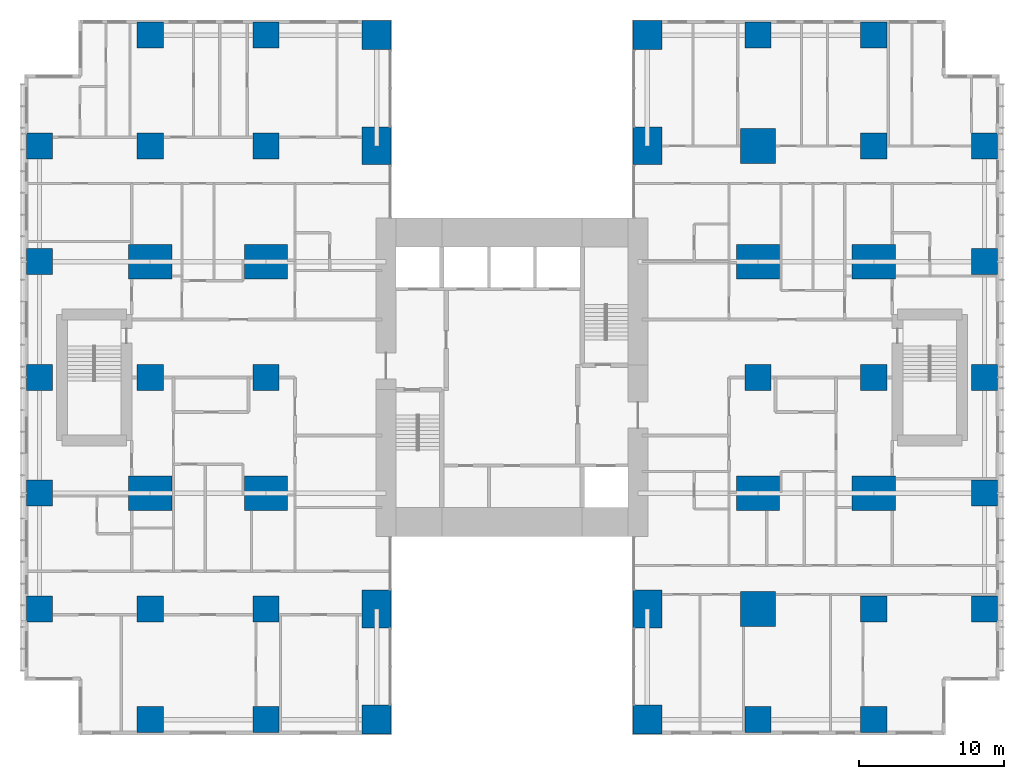
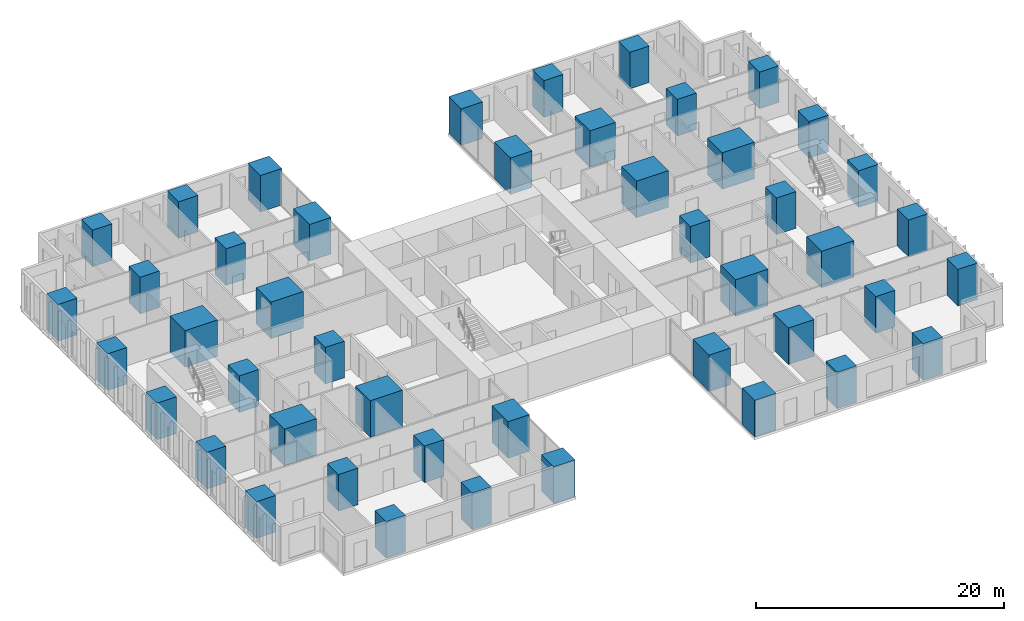
# One storey, part 1 of 20: 46 columns.
"""IFC4 building model written with IfcOpenShell, lengths in metres."""

from ifc_helpers import new_model, si_unit, direction, frame, origin, origin_2d, place, context, subcontext, project, spatial, rectangle, extrude, material, material_profile, profile_set, type_object, element, save


model = new_model("IFC4")

# Units and contexts
model_context = context("Model", 3, precision=1e-05, world=origin(), true_north=direction((0.0, 1.0)))
body_context = subcontext(model_context, "Body", "Model", "MODEL_VIEW")
ifc_project = project(units=[si_unit("LENGTHUNIT", "METRE"), si_unit("AREAUNIT", "SQUARE_METRE"), si_unit("VOLUMEUNIT", "CUBIC_METRE"), si_unit("PLANEANGLEUNIT", "RADIAN"), si_unit("MASSUNIT", "GRAM", prefix="KILO")], contexts=[model_context])

# Site, building, storey
site_placement = place(None, origin())
site = spatial("IfcSite", under=ifc_project, at=site_placement, CompositionType="ELEMENT")
building_placement = place(site_placement, origin())
building = spatial("IfcBuilding", under=site, at=building_placement, Name="Cleftline Residences", CompositionType="ELEMENT")
storey_placement = place(building_placement, frame((0.0, 0.0, 214.60009765625)))
storey = spatial("IfcBuildingStorey", under=building, at=storey_placement, Name="L56", CompositionType="ELEMENT", Elevation=214.60009765625)

# Columns
ifc_material_1 = material(Name="Concrete B70", Category="concrete")
ifc_material_profile_1 = material_profile(ifc_material_1, rectangle(XDim=1.800048828125, YDim=1.800048828125, at=origin_2d()))
ifc_profile_set_1 = profile_set([ifc_material_profile_1], Name="Concrete B70")
column_type_1 = type_object("IfcColumnType", Name="COLUMN RC1800X1800", PredefinedType="COLUMN", material=ifc_profile_set_1)
for number, where, z_axis, x_axis, name in (
    (1, (0.35009765625, 8.0, 0.0), (0.0, 0.0, 1.0), (1.0, 0.0, 0.0), "Column D/3"),
    (2, (0.35009765625, 16.0, 0.0), (0.0, 0.0, 1.0), (1.0, 0.0, 0.0), "Column E/3"),
    (3, (0.35009765625, 24.0, 0.0), (0.0, 0.0, 1.0), (1.0, 0.0, 0.0), "Column F/3"),
    (4, (0.35009765625, 32.0, 0.0), (0.0, 0.0, 1.0), (1.0, 0.0, 0.0), "Column G/3"),
    (5, (0.35009765625, 40.0, 0.0), (0.0, 0.0, 1.0), (1.0, 0.0, 0.0), "Column H/3"),
    (6, (8.0, 0.35009765625, 0.0), (0.0, 0.0, 1.0), (1.0, 0.0, 0.0), "Column C/4"),
    (7, (8.0, 8.0, 0.0), (0.0, 0.0, 1.0), (1.0, 0.0, 0.0), "Column D/4"),
    (8, (8.0, 24.0, 0.0), (0.0, 0.0, 1.0), (1.0, 0.0, 0.0), "Column F/4"),
    (9, (8.0, 40.0, 0.0), (0.0, 0.0, 1.0), (1.0, 0.0, 0.0), "Column H/4"),
    (10, (8.0, 47.64990234375, 0.0), (0.0, 0.0, 1.0), (1.0, 0.0, 0.0), "Column J/4"),
    (11, (16.0, 0.35009765625, 0.0), (0.0, 0.0, 1.0), (1.0, 0.0, 0.0), "Column C/5"),
    (12, (16.0, 8.0, 0.0), (0.0, 0.0, 1.0), (1.0, 0.0, 0.0), "Column D/5"),
    (13, (16.0, 24.0, 0.0), (0.0, 0.0, 1.0), (1.0, 0.0, 0.0), "Column F/5"),
    (14, (16.0, 40.0, 0.0), (0.0, 0.0, 1.0), (1.0, 0.0, 0.0), "Column H/5"),
    (15, (16.0, 47.64990234375, 0.0), (0.0, 0.0, 1.0), (1.0, 0.0, 0.0), "Column J/5"),
    (16, (50.0, 0.35009765625, 0.0), (0.0, 0.0, 1.0), (1.0, 0.0, 0.0), "Column C/9"),
    (17, (50.0, 24.0, 0.0), (0.0, 0.0, 1.0), (1.0, 0.0, 0.0), "Column F/9"),
    (18, (50.0, 47.64990234375, 0.0), (0.0, 0.0, 1.0), (1.0, 0.0, 0.0), "Column J/9"),
    (19, (58.0, 0.35009765625, 0.0), (0.0, 0.0, 1.0), (1.0, 0.0, 0.0), "Column C/10"),
    (20, (58.0, 8.0, 0.0), (0.0, 0.0, 1.0), (1.0, 0.0, 0.0), "Column D/10"),
    (21, (58.0, 24.0, 0.0), (0.0, 0.0, 1.0), (1.0, 0.0, 0.0), "Column F/10"),
    (22, (58.0, 40.0, 0.0), (0.0, 0.0, 1.0), (1.0, 0.0, 0.0), "Column H/10"),
    (23, (58.0, 47.64990234375, 0.0), (0.0, 0.0, 1.0), (1.0, 0.0, 0.0), "Column J/10"),
    (24, (65.64990234375, 8.0, 0.0), (0.0, 0.0, 1.0), (1.0, 0.0, 0.0), "Column D/11"),
    (25, (65.64990234375, 16.0, 0.0), (0.0, 0.0, 1.0), (1.0, 0.0, 0.0), "Column E/11"),
    (26, (65.64990234375, 24.0, 0.0), (0.0, 0.0, 1.0), (1.0, 0.0, 0.0), "Column F/11"),
    (27, (65.64990234375, 32.0, 0.0), (0.0, 0.0, 1.0), (1.0, 0.0, 0.0), "Column G/11"),
    (28, (65.64990234375, 40.0, 0.0), (0.0, 0.0, 1.0), (1.0, 0.0, 0.0), "Column H/11"),
):
    element("IfcColumn", number, at=place(storey_placement, frame(where, z_axis=z_axis, x_axis=x_axis)), inside=storey, type_object=column_type_1, Name=name, PredefinedType="COLUMN", context=body_context, shape_type="SweptSolid", body=[
        extrude(rectangle(XDim=1.800048828125, YDim=1.800048828125, at=origin_2d()), origin(), (0.0, 0.0, 1.0), 3.599853515625),
    ])
ifc_material_2 = material(Name="Concrete B70", Category="concrete")
ifc_material_profile_2 = material_profile(ifc_material_2, rectangle(XDim=2.0, YDim=2.0, at=origin_2d()))
ifc_profile_set_2 = profile_set([ifc_material_profile_2], Name="Concrete B70")
column_type_2 = type_object("IfcColumnType", Name="COLUMN RC2000X2000", PredefinedType="COLUMN", material=ifc_profile_set_2)
for number, where, z_axis, x_axis, name in (
    (29, (23.64990234375, 0.35009765625, 0.0), (0.0, 0.0, 1.0), (1.0, 0.0, 0.0), "Column C/6"),
    (30, (23.64990234375, 47.64990234375, 0.0), (0.0, 0.0, 1.0), (1.0, 0.0, 0.0), "Column J/6"),
    (31, (42.35009765625, 0.35009765625, 0.0), (0.0, 0.0, 1.0), (1.0, 0.0, 0.0), "Column C/8"),
    (32, (42.35009765625, 47.64990234375, 0.0), (0.0, 0.0, 1.0), (1.0, 0.0, 0.0), "Column J/8"),
):
    element("IfcColumn", number, at=place(storey_placement, frame(where, z_axis=z_axis, x_axis=x_axis)), inside=storey, type_object=column_type_2, Name=name, PredefinedType="COLUMN", context=body_context, shape_type="SweptSolid", body=[
        extrude(rectangle(XDim=2.0, YDim=2.0, at=origin_2d()), origin(), (0.0, 0.0, 1.0), 3.599853515625),
    ])
ifc_material_3 = material(Name="Concrete B70", Category="concrete")
ifc_material_profile_3 = material_profile(ifc_material_3, rectangle(XDim=2.0, YDim=2.60009765625, at=origin_2d()))
ifc_profile_set_3 = profile_set([ifc_material_profile_3], Name="Concrete B70")
column_type_3 = type_object("IfcColumnType", Name="COLUMN RC2000X2600", PredefinedType="COLUMN", material=ifc_profile_set_3)
for number, where, z_axis, x_axis, name in (
    (33, (23.64990234375, 8.0, 0.0), (0.0, 0.0, 1.0), (1.0, 0.0, 0.0), "Column D/6"),
    (34, (23.64990234375, 40.0, 0.0), (0.0, 0.0, 1.0), (1.0, 0.0, 0.0), "Column H/6"),
    (35, (42.35009765625, 8.0, 0.0), (0.0, 0.0, 1.0), (1.0, 0.0, 0.0), "Column D/8"),
    (36, (42.35009765625, 40.0, 0.0), (0.0, 0.0, 1.0), (1.0, 0.0, 0.0), "Column H/8"),
):
    element("IfcColumn", number, at=place(storey_placement, frame(where, z_axis=z_axis, x_axis=x_axis)), inside=storey, type_object=column_type_3, Name=name, PredefinedType="COLUMN", context=body_context, shape_type="SweptSolid", body=[
        extrude(rectangle(XDim=2.0, YDim=2.60009765625, at=origin_2d()), origin(), (0.0, 0.0, 1.0), 3.599853515625),
    ])
ifc_material_4 = material(Name="Concrete B70", Category="concrete")
ifc_material_profile_4 = material_profile(ifc_material_4, rectangle(XDim=2.39990234375, YDim=2.39990234375, at=origin_2d()))
ifc_profile_set_4 = profile_set([ifc_material_profile_4], Name="Concrete B70")
column_type_4 = type_object("IfcColumnType", Name="COLUMN RC2400X2400", PredefinedType="COLUMN", material=ifc_profile_set_4)
for number, where, z_axis, x_axis, name in (
    (37, (50.0, 8.0, 0.0), (0.0, 0.0, 1.0), (1.0, 0.0, 0.0), "Column D/9"),
    (38, (50.0, 40.0, 0.0), (0.0, 0.0, 1.0), (1.0, 0.0, 0.0), "Column H/9"),
):
    element("IfcColumn", number, at=place(storey_placement, frame(where, z_axis=z_axis, x_axis=x_axis)), inside=storey, type_object=column_type_4, Name=name, PredefinedType="COLUMN", context=body_context, shape_type="SweptSolid", body=[
        extrude(rectangle(XDim=2.39990234375, YDim=2.39990234375, at=origin_2d()), origin(), (0.0, 0.0, 1.0), 3.599853515625),
    ])
ifc_material_5 = material(Name="Concrete B70", Category="concrete")
ifc_material_profile_5 = material_profile(ifc_material_5, rectangle(XDim=3.0, YDim=2.39990234375, at=origin_2d()))
ifc_profile_set_5 = profile_set([ifc_material_profile_5], Name="Concrete B70")
column_type_5 = type_object("IfcColumnType", Name="COLUMN RC3000X2400", PredefinedType="COLUMN", material=ifc_profile_set_5)
for number, where, z_axis, x_axis, name in (
    (39, (8.0, 16.0, 0.0), (0.0, 0.0, 1.0), (1.0, 0.0, 0.0), "Column E/4"),
    (40, (8.0, 32.0, 0.0), (0.0, 0.0, 1.0), (1.0, 0.0, 0.0), "Column G/4"),
    (41, (16.0, 16.0, 0.0), (0.0, 0.0, 1.0), (1.0, 0.0, 0.0), "Column E/5"),
    (42, (16.0, 32.0, 0.0), (0.0, 0.0, 1.0), (1.0, 0.0, 0.0), "Column G/5"),
    (43, (50.0, 16.0, 0.0), (0.0, 0.0, 1.0), (1.0, 0.0, 0.0), "Column E/9"),
    (44, (50.0, 32.0, 0.0), (0.0, 0.0, 1.0), (1.0, 0.0, 0.0), "Column G/9"),
    (45, (58.0, 16.0, 0.0), (0.0, 0.0, 1.0), (1.0, 0.0, 0.0), "Column E/10"),
    (46, (58.0, 32.0, 0.0), (0.0, 0.0, 1.0), (1.0, 0.0, 0.0), "Column G/10"),
):
    element("IfcColumn", number, at=place(storey_placement, frame(where, z_axis=z_axis, x_axis=x_axis)), inside=storey, type_object=column_type_5, Name=name, PredefinedType="COLUMN", context=body_context, shape_type="SweptSolid", body=[
        extrude(rectangle(XDim=3.0, YDim=2.39990234375, at=origin_2d()), origin(), (0.0, 0.0, 1.0), 3.599853515625),
    ])

save(model, "model.ifc")
